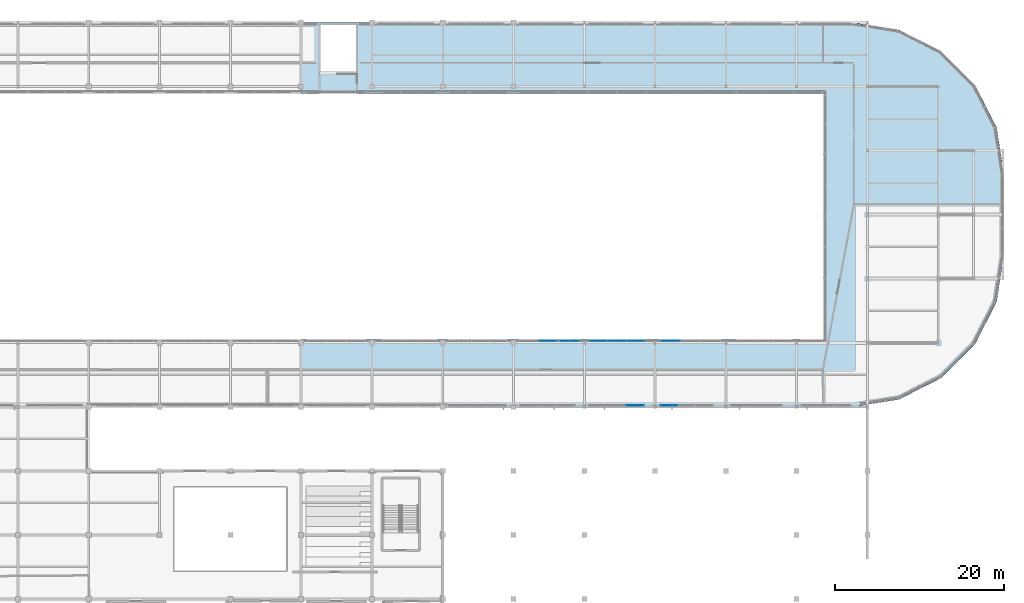
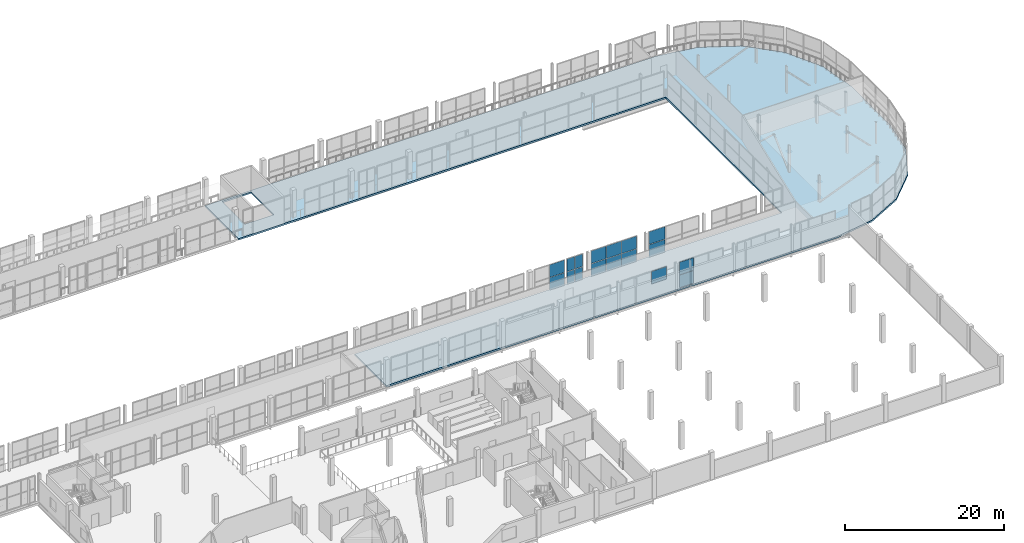
# One storey, part 116 of 151: 17 plates, 1 slab, 6 elements without a shape of their own.
"""IFC4 building model written with IfcOpenShell, lengths in metres."""

import ifcopenshell
import ifcopenshell.guid

model = None  # the IFC model being written
_history = None  # IfcOwnerHistory: only IFC2X3 demands one
_inside = {}  # id of a spatial element -> (the spatial element, [elements in it])
_under = {}  # id of a project, library or spatial element -> (it, [spatial elements below it])
_declared = {}  # id of a project -> (the project, [libraries it declares])
_typed = {}  # id of a type object -> (the type object, [elements of that type])
_made_of = {}  # id of a material, layer set ... -> (it, [elements and type objects made of it])


def new_model(schema):
    """Start an empty IFC model of exactly this schema.

    Asked for "IFC4X3", IfcOpenShell would pick the latest addendum, in which some entities
    have other attributes; the version numbers below select the first issue.
    IFC2X3 requires an IfcOwnerHistory on every rooted entity: one is made here for all.
    """
    global model, _history
    if schema == "IFC4X3":
        model = ifcopenshell.file(schema_version=(4, 3, 0, 0))
    else:
        model = ifcopenshell.file(schema=schema)
    _inside.clear()
    _under.clear()
    _declared.clear()
    _typed.clear()
    _made_of.clear()
    _history = None
    if model.schema == "IFC2X3":
        org = make("IfcOrganization", Name="unknown")
        user = make(
            "IfcPersonAndOrganization",
            ThePerson=make("IfcPerson", FamilyName="unknown"),
            TheOrganization=org,
        )
        app = make(
            "IfcApplication",
            ApplicationDeveloper=org,
            Version="unknown",
            ApplicationFullName="unknown",
            ApplicationIdentifier="unknown",
        )
        _history = make(
            "IfcOwnerHistory",
            OwningUser=user,
            OwningApplication=app,
            ChangeAction="ADDED",
            CreationDate=0,
        )
    return model


def make(cls, **values):
    """One entity of the class cls with the attributes given. An attribute that is None is left unset."""
    return model.create_entity(
        cls, **{name: value for name, value in values.items() if value is not None}
    )


def rooted(cls, **values):
    """An entity with a GlobalId (a new one), such as an element, a storey or a relation."""
    return make(cls, GlobalId=ifcopenshell.guid.new(), OwnerHistory=_history, **values)


def si_unit(unit_type, name, prefix=None):
    """IfcSIUnit, for example si_unit("LENGTHUNIT", "METRE", prefix="MILLI")."""
    return make("IfcSIUnit", UnitType=unit_type, Prefix=prefix, Name=name)


def assignment(units):
    """IfcUnitAssignment: the units of a project."""
    return None if units is None else make("IfcUnitAssignment", Units=units)


def point(xyz):
    """IfcCartesianPoint."""
    return None if xyz is None else make("IfcCartesianPoint", Coordinates=xyz)


def direction(xyz):
    """IfcDirection."""
    return None if xyz is None else make("IfcDirection", DirectionRatios=xyz)


def frame(location, z_axis=None, x_axis=None):
    """IfcAxis2Placement3D, a coordinate frame: its origin and axes. An axis left out is left unset."""
    return make(
        "IfcAxis2Placement3D",
        Location=point(location),
        Axis=direction(z_axis),
        RefDirection=direction(x_axis),
    )


def frame_2d(location, x_axis=None):
    """IfcAxis2Placement2D, a coordinate frame in the plane: its origin and x axis."""
    return make(
        "IfcAxis2Placement2D", Location=point(location), RefDirection=direction(x_axis)
    )


def origin():
    """The frame at (0, 0, 0) with its axes left unset."""
    return frame((0.0, 0.0, 0.0))


def origin_2d():
    """The frame at (0, 0) in the plane with its x axis left unset."""
    return frame_2d((0.0, 0.0))


def place(relative_to, where):
    """IfcLocalPlacement: puts the frame where relative to a parent placement (None: the world)."""
    return make(
        "IfcLocalPlacement", PlacementRelTo=relative_to, RelativePlacement=where
    )


def context(
    kind, dimensions, precision=None, world=None, true_north=None, identifier=None
):
    """IfcGeometricRepresentationContext, for example the 3D "Model" context."""
    return make(
        "IfcGeometricRepresentationContext",
        ContextIdentifier=identifier,
        ContextType=kind,
        CoordinateSpaceDimension=dimensions,
        Precision=precision,
        WorldCoordinateSystem=world,
        TrueNorth=true_north,
    )


def subcontext(parent, identifier, kind, view, scale=None):
    """IfcGeometricRepresentationSubContext, for example "Body" below "Model"."""
    return make(
        "IfcGeometricRepresentationSubContext",
        ContextIdentifier=identifier,
        ContextType=kind,
        ParentContext=parent,
        TargetScale=scale,
        TargetView=view,
    )


def project(units=None, contexts=None):
    """IfcProject with its units and contexts."""
    return rooted(
        "IfcProject",
        Name="project",
        RepresentationContexts=contexts,
        UnitsInContext=assignment(units),
    )


def spatial(cls, under=None, at=None, **own):
    """A site, building, storey or space (cls), placed at a placement, below another one or the project."""
    s = rooted(cls, ObjectPlacement=at, **own)
    if under is not None:
        _under.setdefault(under.id(), (under, []))[1].append(s)
    return s


def polyline(points):
    """IfcPolyline through the points."""
    return make("IfcPolyline", Points=[point(p) for p in points])


def profile(cls, at=None, kind="AREA", **sizes):
    """A parametric profile (cls). Its sizes go by their IFC names, for example OverallWidth=200.0."""
    return make(cls, ProfileType=kind, Position=at, **sizes)


def rectangle(**sizes):
    """IfcRectangleProfileDef."""
    return profile("IfcRectangleProfileDef", **sizes)


def outline(outer, holes=None, kind="AREA"):
    """IfcArbitraryClosedProfileDef: a profile drawn as a closed curve; with holes, ...WithVoids."""
    if holes is None:
        return make("IfcArbitraryClosedProfileDef", ProfileType=kind, OuterCurve=outer)
    return make(
        "IfcArbitraryProfileDefWithVoids",
        ProfileType=kind,
        OuterCurve=outer,
        InnerCurves=holes,
    )


def extrude(swept, where, along, depth):
    """IfcExtrudedAreaSolid: the profile swept, set in the frame where, extruded along a direction by depth."""
    return make(
        "IfcExtrudedAreaSolid",
        SweptArea=swept,
        Position=where,
        ExtrudedDirection=direction(along),
        Depth=depth,
    )


def shape(context_of_items, identifier, shape_type, items):
    """IfcShapeRepresentation: the items that make up one representation, for example the "Body"."""
    return make(
        "IfcShapeRepresentation",
        ContextOfItems=context_of_items,
        RepresentationIdentifier=identifier,
        RepresentationType=shape_type,
        Items=items,
    )


def material(Name=None, Category=None):
    """IfcMaterial."""
    return make("IfcMaterial", Name=Name, Category=Category)


def layer(
    of_material, thickness, ventilated=None, Name=None, Category=None, Priority=None
):
    """IfcMaterialLayer: one layer of a wall or slab, of a material (None: an air gap)."""
    return make(
        "IfcMaterialLayer",
        Material=of_material,
        LayerThickness=thickness,
        IsVentilated=ventilated,
        Name=Name,
        Category=Category,
        Priority=Priority,
    )


def layer_set(layers, Name=None):
    """IfcMaterialLayerSet."""
    return make("IfcMaterialLayerSet", MaterialLayers=layers, LayerSetName=Name)


def made_of(thing, what):
    """Note that an element or type object is made of a material, layer set ...; save() writes the relation."""
    if what is not None:
        _made_of.setdefault(what.id(), (what, []))[1].append(thing)
    return thing


def type_object(cls, material=None, **own):
    """A type object (cls), such as IfcWallType, which elements share."""
    return made_of(rooted(cls, **own), material)


def element(
    cls,
    number,
    at=None,
    inside=None,
    cuts=None,
    type_object=None,
    material=None,
    context=None,
    identifier="Body",
    shape_type=None,
    held_by="IfcProductDefinitionShape",
    body=None,
    shapes=None,
    **own,
):
    """One element of the class cls, such as IfcWall. Its Tag is "e" and its number.

    at: its placement. inside: the storey or other place that contains it. cuts: it is an
    opening in that element (IfcRelVoidsElement). A single representation is given by context,
    identifier, shape_type and body (its items); several are given by shapes. held_by: the class
    of the entity that holds the representations. save() writes the other relations.
    """
    e = rooted(cls, Tag="e%d" % number, ObjectPlacement=at, **own)
    if body is not None:
        shapes = [shape(context, identifier, shape_type, body)]
    if shapes is not None:
        e.Representation = make(held_by, Representations=shapes)
    if inside is not None:
        _inside.setdefault(inside.id(), (inside, []))[1].append(e)
    if cuts is not None:
        rooted(
            "IfcRelVoidsElement", RelatingBuildingElement=cuts, RelatedOpeningElement=e
        )
    if type_object is not None:
        _typed.setdefault(type_object.id(), (type_object, []))[1].append(e)
    return made_of(e, material)


def aggregate(whole, parts):
    """IfcRelAggregates: a whole, such as a stair, and the parts it consists of."""
    return rooted("IfcRelAggregates", RelatingObject=whole, RelatedObjects=parts)


def save(model, path):
    """Write the relations noted so far, then the file.

    IfcRelAggregates (storeys below a building ...), IfcRelContainedInSpatialStructure (elements
    in a storey), IfcRelDefinesByType, IfcRelAssociatesMaterial and IfcRelDeclares: one each for
    every whole, place, type object, material and project.
    """
    for whole, parts in _under.values():
        aggregate(whole, parts)
    for where, things in _inside.values():
        rooted(
            "IfcRelContainedInSpatialStructure",
            RelatedElements=things,
            RelatingStructure=where,
        )
    for kind, things in _typed.values():
        rooted("IfcRelDefinesByType", RelatedObjects=things, RelatingType=kind)
    for what, things in _made_of.values():
        rooted("IfcRelAssociatesMaterial", RelatedObjects=things, RelatingMaterial=what)
    for by, libraries in _declared.values():
        rooted("IfcRelDeclares", RelatingContext=by, RelatedDefinitions=libraries)
    model.write(path)


model = new_model("IFC4")

# Units and contexts
model_context = context("Model", 3, precision=1e-05, world=origin(), true_north=direction((0.0, 1.0)))
body_context = subcontext(model_context, "Body", "Model", "MODEL_VIEW")
ifc_project = project(units=[si_unit("LENGTHUNIT", "METRE"), si_unit("AREAUNIT", "SQUARE_METRE"), si_unit("VOLUMEUNIT", "CUBIC_METRE"), si_unit("PLANEANGLEUNIT", "RADIAN"), si_unit("MASSUNIT", "GRAM", prefix="KILO")], contexts=[model_context])

# Site, building, storey
site_placement = place(None, origin())
site = spatial("IfcSite", under=ifc_project, at=site_placement, CompositionType="ELEMENT")
building_placement = place(site_placement, origin())
building = spatial("IfcBuilding", under=site, at=building_placement, Name="Zuvorla Pavilion Media Centre", CompositionType="ELEMENT")
storey_placement = place(building_placement, frame((0.0, 0.0, 13.800048828125)))
storey = spatial("IfcBuildingStorey", under=building, at=storey_placement, Name="L03", CompositionType="ELEMENT", Elevation=13.800048828125)

# Curtain wall, plates
ifc_material_1 = material(Name="Unitised anodised aluminium and solar glass curtain wall", Category="aluminium")
curtain_wall_type_1 = type_object("IfcCurtainWallType", Name="CW-SYS-53", PredefinedType="USERDEFINED", material=ifc_material_1)
curtain_wall_1_placement = place(storey_placement, origin())
curtain_wall_1 = element("IfcCurtainWall", 1, at=curtain_wall_1_placement, inside=storey, type_object=curtain_wall_type_1, Name="L03 curtain wall CW53 178", ObjectType="CURTAIN WALL", PredefinedType="USERDEFINED")
ifc_material_2 = material(Name="Solar control double glazing", Category="glass")
ifc_layer_1 = layer(ifc_material_2, 0.028076171875)
ifc_layer_set_1 = layer_set([ifc_layer_1], Name="Solar control double glazing")
plate_type_1 = type_object("IfcPlateType", Name="CW-PNL-28", PredefinedType="CURTAIN_PANEL", material=ifc_layer_set_1)
plate_1_placement = place(storey_placement, frame((123.24951171875, 51.840087890625, 0.030029296875), z_axis=(0.0, 0.0, 1.0), x_axis=(1.0, 0.0, 0.0)))
plate_1 = element("IfcPlate", 2, at=plate_1_placement, type_object=plate_type_1, Name="CW53 panel 1.1", PredefinedType="CURTAIN_PANEL", context=body_context, shape_type="SweptSolid", body=[
    extrude(rectangle(XDim=1.119140625, YDim=0.028076171875, at=origin_2d()), origin(), (0.0, 0.0, 1.0), 1.919921875),
])
plate_2_placement = place(storey_placement, frame((123.24951171875, 51.840087890625, 2.010009765625), z_axis=(0.0, 0.0, 1.0), x_axis=(1.0, 0.0, 0.0)))
plate_2 = element("IfcPlate", 3, at=plate_2_placement, type_object=plate_type_1, Name="CW53 panel 1.2", PredefinedType="CURTAIN_PANEL", context=body_context, shape_type="SweptSolid", body=[
    extrude(rectangle(XDim=1.119140625, YDim=0.028076171875, at=origin_2d()), origin(), (0.0, 0.0, 1.0), 1.919921875),
])
plate_3_placement = place(storey_placement, frame((124.428466796875, 51.840087890625, 0.030029296875), z_axis=(0.0, 0.0, 1.0), x_axis=(1.0, 0.0, 0.0)))
plate_3 = element("IfcPlate", 4, at=plate_3_placement, type_object=plate_type_1, Name="CW53 panel 2.1", PredefinedType="CURTAIN_PANEL", context=body_context, shape_type="SweptSolid", body=[
    extrude(rectangle(XDim=1.119140625, YDim=0.028076171875, at=origin_2d()), origin(), (0.0, 0.0, 1.0), 1.919921875),
])
plate_4_placement = place(storey_placement, frame((124.428466796875, 51.840087890625, 2.010009765625), z_axis=(0.0, 0.0, 1.0), x_axis=(1.0, 0.0, 0.0)))
plate_4 = element("IfcPlate", 5, at=plate_4_placement, type_object=plate_type_1, Name="CW53 panel 2.2", PredefinedType="CURTAIN_PANEL", context=body_context, shape_type="SweptSolid", body=[
    extrude(rectangle(XDim=1.119140625, YDim=0.028076171875, at=origin_2d()), origin(), (0.0, 0.0, 1.0), 1.919921875),
])
aggregate(curtain_wall_1, [plate_1, plate_2, plate_3, plate_4])

curtain_wall_type_2 = type_object("IfcCurtainWallType", Name="CW-SYS-54", PredefinedType="USERDEFINED", material=ifc_material_1)
curtain_wall_2_placement = place(storey_placement, origin())
curtain_wall_2 = element("IfcCurtainWall", 6, at=curtain_wall_2_placement, inside=storey, type_object=curtain_wall_type_2, Name="L03 curtain wall CW54 179", ObjectType="CURTAIN WALL", PredefinedType="USERDEFINED")
plate_5_placement = place(storey_placement, frame((127.29150390625, 51.840087890625, 0.030029296875), z_axis=(0.0, 0.0, 1.0), x_axis=(1.0, 0.0, 0.0)))
plate_5 = element("IfcPlate", 7, at=plate_5_placement, type_object=plate_type_1, Name="CW54 panel 1.1", PredefinedType="CURTAIN_PANEL", context=body_context, shape_type="SweptSolid", body=[
    extrude(rectangle(XDim=2.159423828125, YDim=0.028076171875, at=origin_2d()), origin(), (0.0, 0.0, 1.0), 1.919921875),
])
plate_6_placement = place(storey_placement, frame((127.29150390625, 51.840087890625, 2.010009765625), z_axis=(0.0, 0.0, 1.0), x_axis=(1.0, 0.0, 0.0)))
plate_6 = element("IfcPlate", 8, at=plate_6_placement, type_object=plate_type_1, Name="CW54 panel 1.2", PredefinedType="CURTAIN_PANEL", context=body_context, shape_type="SweptSolid", body=[
    extrude(rectangle(XDim=2.159423828125, YDim=0.028076171875, at=origin_2d()), origin(), (0.0, 0.0, 1.0), 1.919921875),
])
plate_7_placement = place(storey_placement, frame((129.510986328125, 51.840087890625, 0.030029296875), z_axis=(0.0, 0.0, 1.0), x_axis=(1.0, 0.0, 0.0)))
plate_7 = element("IfcPlate", 9, at=plate_7_placement, type_object=plate_type_1, Name="CW54 panel 2.1", PredefinedType="CURTAIN_PANEL", context=body_context, shape_type="SweptSolid", body=[
    extrude(rectangle(XDim=2.159423828125, YDim=0.028076171875, at=origin_2d()), origin(), (0.0, 0.0, 1.0), 1.919921875),
])
plate_8_placement = place(storey_placement, frame((129.510986328125, 51.840087890625, 2.010009765625), z_axis=(0.0, 0.0, 1.0), x_axis=(1.0, 0.0, 0.0)))
plate_8 = element("IfcPlate", 10, at=plate_8_placement, type_object=plate_type_1, Name="CW54 panel 2.2", PredefinedType="CURTAIN_PANEL", context=body_context, shape_type="SweptSolid", body=[
    extrude(rectangle(XDim=2.159423828125, YDim=0.028076171875, at=origin_2d()), origin(), (0.0, 0.0, 1.0), 1.919921875),
])
plate_9_placement = place(storey_placement, frame((131.730224609375, 51.840087890625, 0.030029296875), z_axis=(0.0, 0.0, 1.0), x_axis=(1.0, 0.0, 0.0)))
plate_9 = element("IfcPlate", 11, at=plate_9_placement, type_object=plate_type_1, Name="CW54 panel 3.1", PredefinedType="CURTAIN_PANEL", context=body_context, shape_type="SweptSolid", body=[
    extrude(rectangle(XDim=2.159423828125, YDim=0.028076171875, at=origin_2d()), origin(), (0.0, 0.0, 1.0), 1.919921875),
])
plate_10_placement = place(storey_placement, frame((131.730224609375, 51.840087890625, 2.010009765625), z_axis=(0.0, 0.0, 1.0), x_axis=(1.0, 0.0, 0.0)))
plate_10 = element("IfcPlate", 12, at=plate_10_placement, type_object=plate_type_1, Name="CW54 panel 3.2", PredefinedType="CURTAIN_PANEL", context=body_context, shape_type="SweptSolid", body=[
    extrude(rectangle(XDim=2.159423828125, YDim=0.028076171875, at=origin_2d()), origin(), (0.0, 0.0, 1.0), 1.919921875),
])
aggregate(curtain_wall_2, [plate_5, plate_6, plate_7, plate_8, plate_9, plate_10])

# Curtain wall, plate
curtain_wall_type_3 = type_object("IfcCurtainWallType", Name="CW-SYS-63", PredefinedType="USERDEFINED", material=ifc_material_1)
curtain_wall_3_placement = place(storey_placement, origin())
curtain_wall_3 = element("IfcCurtainWall", 13, at=curtain_wall_3_placement, inside=storey, type_object=curtain_wall_type_3, Name="L03 curtain wall CW63 144", ObjectType="CURTAIN WALL", PredefinedType="USERDEFINED")
ifc_material_3 = material(Name="Acoustic laminated solar glazing", Category="glass")
ifc_layer_2 = layer(ifc_material_3, 0.033935546875)
ifc_layer_set_2 = layer_set([ifc_layer_2], Name="Acoustic laminated solar glazing")
plate_type_2 = type_object("IfcPlateType", Name="CW-PNL-34", PredefinedType="CURTAIN_PANEL", material=ifc_layer_set_2)
plate_11_placement = place(storey_placement, frame((131.626220703125, 44.159912109375, 2.010009765625), z_axis=(0.0, 0.0, 1.0), x_axis=(1.0, 0.0, 0.0)))
plate_11 = element("IfcPlate", 14, at=plate_11_placement, type_object=plate_type_2, Name="CW63 panel 3.2", PredefinedType="CURTAIN_PANEL", context=body_context, shape_type="SweptSolid", body=[
    extrude(rectangle(XDim=2.11767578125, YDim=0.033935546875, at=origin_2d()), origin(), (0.0, 0.0, 1.0), 1.919921875),
])
aggregate(curtain_wall_3, [plate_11])

# Curtain wall, plates
curtain_wall_type_4 = type_object("IfcCurtainWallType", Name="CW-SYS-84", PredefinedType="USERDEFINED", material=ifc_material_1)
curtain_wall_4_placement = place(storey_placement, origin())
curtain_wall_4 = element("IfcCurtainWall", 15, at=curtain_wall_4_placement, inside=storey, type_object=curtain_wall_type_4, Name="L03 curtain wall CW84 181", ObjectType="CURTAIN WALL", PredefinedType="USERDEFINED")
plate_12_placement = place(storey_placement, frame((135.787841796875, 51.840087890625, 0.030029296875), z_axis=(0.0, 0.0, 1.0), x_axis=(1.0, 0.0, 0.0)))
plate_12 = element("IfcPlate", 16, at=plate_12_placement, type_object=plate_type_2, Name="CW84 panel 1.1", PredefinedType="CURTAIN_PANEL", context=body_context, shape_type="SweptSolid", body=[
    extrude(rectangle(XDim=2.35205078125, YDim=0.033935546875, at=origin_2d()), origin(), (0.0, 0.0, 1.0), 1.919921875),
])
plate_13_placement = place(storey_placement, frame((135.787841796875, 51.840087890625, 2.010009765625), z_axis=(0.0, 0.0, 1.0), x_axis=(1.0, 0.0, 0.0)))
plate_13 = element("IfcPlate", 17, at=plate_13_placement, type_object=plate_type_2, Name="CW84 panel 1.2", PredefinedType="CURTAIN_PANEL", context=body_context, shape_type="SweptSolid", body=[
    extrude(rectangle(XDim=2.35205078125, YDim=0.033935546875, at=origin_2d()), origin(), (0.0, 0.0, 1.0), 1.919921875),
])
aggregate(curtain_wall_4, [plate_12, plate_13])

curtain_wall_type_5 = type_object("IfcCurtainWallType", Name="CW-SYS-12", PredefinedType="USERDEFINED", material=ifc_material_1)
curtain_wall_5_placement = place(storey_placement, origin())
curtain_wall_5 = element("IfcCurtainWall", 18, at=curtain_wall_5_placement, inside=storey, type_object=curtain_wall_type_5, Name="L03 curtain wall CW12 145", ObjectType="CURTAIN WALL", PredefinedType="USERDEFINED")
ifc_material_4 = material(Name="Triple acoustic broadcast glazing", Category="glass")
ifc_layer_3 = layer(ifc_material_4, 0.0419921875)
ifc_layer_set_3 = layer_set([ifc_layer_3], Name="Triple acoustic broadcast glazing")
plate_type_3 = type_object("IfcPlateType", Name="CW-PNL-42", PredefinedType="CURTAIN_PANEL", material=ifc_layer_set_3)
plate_14_placement = place(storey_placement, frame((135.63330078125, 44.159912109375, 0.030029296875), z_axis=(0.0, 0.0, 1.0), x_axis=(1.0, 0.0, 0.0)))
plate_14 = element("IfcPlate", 19, at=plate_14_placement, type_object=plate_type_3, Name="CW12 panel 1.1", PredefinedType="CURTAIN_PANEL", context=body_context, shape_type="SweptSolid", body=[
    extrude(rectangle(XDim=2.042724609375, YDim=0.0419921875, at=origin_2d()), origin(), (0.0, 0.0, 1.0), 1.919921875),
])
plate_15_placement = place(storey_placement, frame((135.63330078125, 44.159912109375, 2.010009765625), z_axis=(0.0, 0.0, 1.0), x_axis=(1.0, 0.0, 0.0)))
plate_15 = element("IfcPlate", 20, at=plate_15_placement, type_object=plate_type_3, Name="CW12 panel 1.2", PredefinedType="CURTAIN_PANEL", context=body_context, shape_type="SweptSolid", body=[
    extrude(rectangle(XDim=2.042724609375, YDim=0.0419921875, at=origin_2d()), origin(), (0.0, 0.0, 1.0), 1.919921875),
])
aggregate(curtain_wall_5, [plate_14, plate_15])

curtain_wall_type_6 = type_object("IfcCurtainWallType", Name="CW-SYS-79", PredefinedType="USERDEFINED", material=ifc_material_1)
curtain_wall_6_placement = place(storey_placement, origin())
curtain_wall_6 = element("IfcCurtainWall", 21, at=curtain_wall_6_placement, inside=storey, type_object=curtain_wall_type_6, Name="L03 curtain wall CW79 175", ObjectType="CURTAIN WALL", PredefinedType="USERDEFINED")
plate_16_placement = place(storey_placement, frame((121.240966796875, 51.840087890625, 0.030029296875), z_axis=(0.0, 0.0, 1.0), x_axis=(1.0, 0.0, 0.0)))
plate_16 = element("IfcPlate", 22, at=plate_16_placement, type_object=plate_type_3, Name="CW79 panel 2.1", PredefinedType="CURTAIN_PANEL", context=body_context, shape_type="SweptSolid", body=[
    extrude(rectangle(XDim=2.137939453125, YDim=0.0419921875, at=origin_2d()), origin(), (0.0, 0.0, 1.0), 1.919921875),
])
plate_17_placement = place(storey_placement, frame((121.240966796875, 51.840087890625, 2.010009765625), z_axis=(0.0, 0.0, 1.0), x_axis=(1.0, 0.0, 0.0)))
plate_17 = element("IfcPlate", 23, at=plate_17_placement, type_object=plate_type_3, Name="CW79 panel 2.2", PredefinedType="CURTAIN_PANEL", context=body_context, shape_type="SweptSolid", body=[
    extrude(rectangle(XDim=2.137939453125, YDim=0.0419921875, at=origin_2d()), origin(), (0.0, 0.0, 1.0), 1.919921875),
])
aggregate(curtain_wall_6, [plate_16, plate_17])

# Slab
ifc_material_5 = material(Name="Concrete C40/50", Category="concrete")
ifc_layer_4 = layer(ifc_material_5, 0.25)
ifc_layer_set_4 = layer_set([ifc_layer_4], Name="Concrete C40/50")
slab_type = type_object("IfcSlabType", Name="SLB-FLR-250", PredefinedType="FLOOR", material=ifc_layer_set_4)
slab_placement = place(storey_placement, frame((0.0, 0.0, -0.25)))
element("IfcSlab", 24, at=slab_placement, inside=storey, type_object=slab_type, Name="L03 floor slab RING", PredefinedType="FLOOR", context=body_context, shape_type="SweptSolid", body=[
    extrude(outline(polyline([(162.96240234375, 88.718994140625), (167.97998046875, 86.162353515625), (171.96240234375, 82.18017578125), (174.51904296875, 77.162353515625), (175.39990234375, 71.60009765625), (175.39990234375, 62.0), (174.51904296875, 56.437744140625), (171.96240234375, 51.419921875), (167.97998046875, 47.437744140625), (162.96240234375, 44.881103515625), (157.39990234375, 44.0), (92.0, 44.0), (92.0, 52.0), (154.0, 52.0), (154.0, 81.199951171875), (92.0, 81.199951171875), (92.0, 89.60009765625), (157.39990234375, 89.60009765625), (162.96240234375, 88.718994140625)]), holes=[polyline([(98.5, 89.300048828125), (94.300048828125, 89.300048828125), (94.300048828125, 83.550048828125), (98.5, 83.550048828125), (98.5, 89.300048828125)])]), origin(), (0.0, 0.0, 1.0), 0.25),
])

save(model, "model.ifc")
